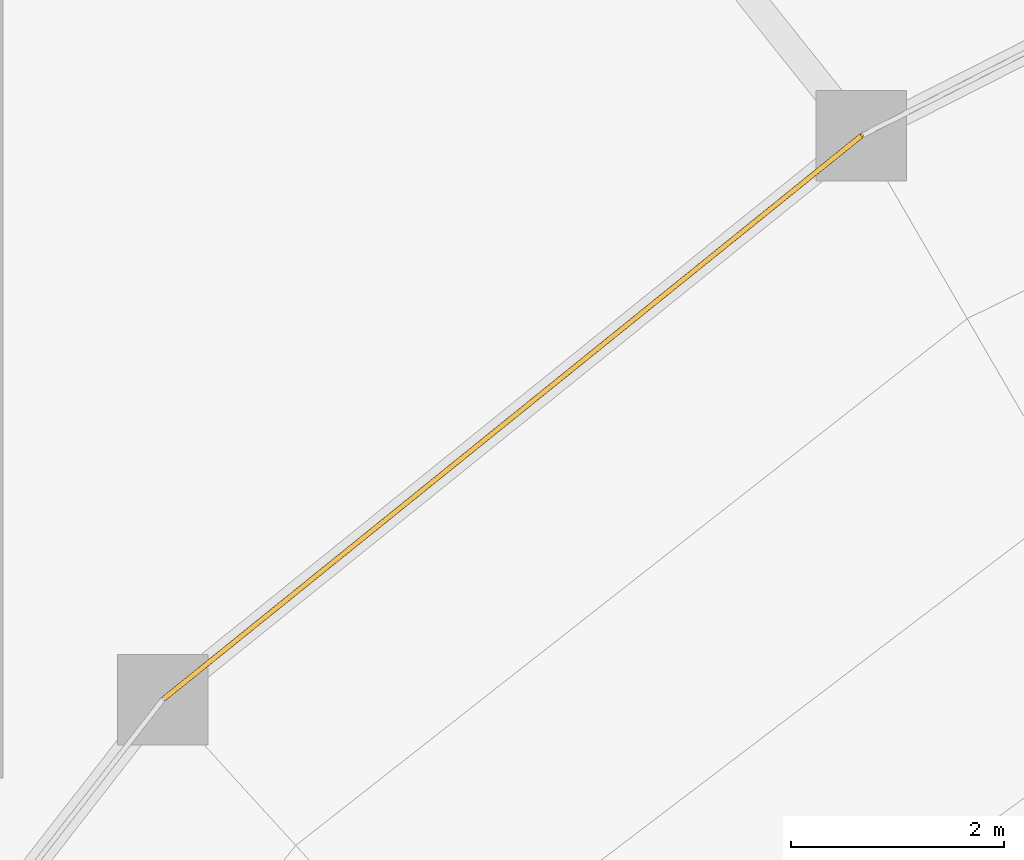
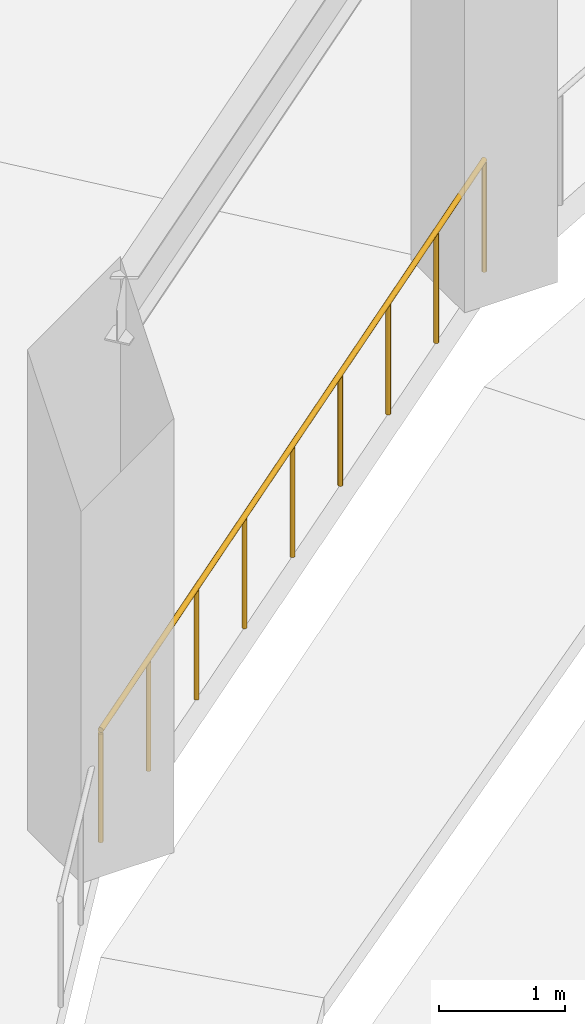
# One storey, part 103 of 120: 1 railing.
"""IFC4 building model written with IfcOpenShell, lengths in metres."""

from ifc_helpers import new_model, si_unit, direction, frame, origin, origin_2d, place, context, subcontext, project, spatial, circle, extrude, material, type_object, element, save


model = new_model("IFC4")

# Units and contexts
model_context = context("Model", 3, precision=1e-05, world=origin(), true_north=direction((0.0, 1.0)))
body_context = subcontext(model_context, "Body", "Model", "MODEL_VIEW")
ifc_project = project(units=[si_unit("LENGTHUNIT", "METRE"), si_unit("AREAUNIT", "SQUARE_METRE"), si_unit("VOLUMEUNIT", "CUBIC_METRE"), si_unit("PLANEANGLEUNIT", "RADIAN"), si_unit("MASSUNIT", "GRAM", prefix="KILO")], contexts=[model_context])

# Site, building, storey
site_placement = place(None, origin())
site = spatial("IfcSite", under=ifc_project, at=site_placement, CompositionType="ELEMENT")
building_placement = place(site_placement, origin())
building = spatial("IfcBuilding", under=site, at=building_placement, Name="Cuetzalor Civic Arena", CompositionType="ELEMENT")
storey_placement = place(building_placement, frame((0.0, 0.0, 6.0)))
storey = spatial("IfcBuildingStorey", under=building, at=storey_placement, Name="L01", CompositionType="ELEMENT", Elevation=6.0)

# Railing
ifc_material = material(Name="Reseda-green Steel S355 and laminated glass guard", Category="steel")
railing_type = type_object("IfcRailingType", Name="BowlSightlineGuard_1100", PredefinedType="BALUSTRADE", material=ifc_material)
railing_placement = place(storey_placement, frame((-25.874755859375, 26.19140625, 0.0)))
element("IfcRailing", 1, at=railing_placement, inside=storey, type_object=railing_type, Name="Lower Bowl Concourse Rim Balustrade S11", PredefinedType="BALUSTRADE", context=body_context, shape_type="SweptSolid", body=[
    extrude(circle(Radius=0.02392578125, at=origin_2d()), frame((0.0, 0.0, 1.076171875), z_axis=(-0.778122678462, -0.628112328539, 0.0), x_axis=(0.628112328539, -0.778122678462, 0.0)), (0.0, 0.0, 1.0), 8.445068359375),
    extrude(circle(Radius=0.02099609375, at=origin_2d()), origin(), (0.0, 0.0, 1.0), 1.052001953125),
    extrude(circle(Radius=0.02099609375, at=origin_2d()), frame((-0.8212890625, -0.6630859375, 0.0)), (0.0, 0.0, 1.0), 1.052001953125),
    extrude(circle(Radius=0.02099609375, at=origin_2d()), frame((-1.642822265625, -1.326171875, 0.0)), (0.0, 0.0, 1.0), 1.052001953125),
    extrude(circle(Radius=0.02099609375, at=origin_2d()), frame((-2.46435546875, -1.9892578125, 0.0)), (0.0, 0.0, 1.0), 1.052001953125),
    extrude(circle(Radius=0.02099609375, at=origin_2d()), frame((-3.28564453125, -2.65234375, 0.0)), (0.0, 0.0, 1.0), 1.052001953125),
    extrude(circle(Radius=0.02099609375, at=origin_2d()), frame((-4.10693359375, -3.315185546875, 0.0)), (0.0, 0.0, 1.0), 1.052001953125),
    extrude(circle(Radius=0.02099609375, at=origin_2d()), frame((-4.928466796875, -3.978271484375, 0.0)), (0.0, 0.0, 1.0), 1.052001953125),
    extrude(circle(Radius=0.02099609375, at=origin_2d()), frame((-5.75, -4.641357421875, 0.0)), (0.0, 0.0, 1.0), 1.052001953125),
    extrude(circle(Radius=0.02099609375, at=origin_2d()), frame((-6.5712890625, -5.304443359375, 0.0)), (0.0, 0.0, 1.0), 1.052001953125),
])

save(model, "model.ifc")
